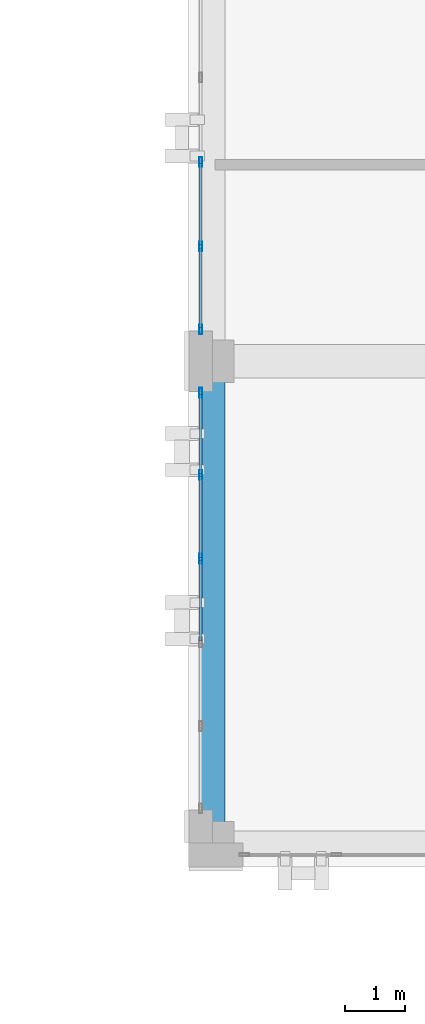
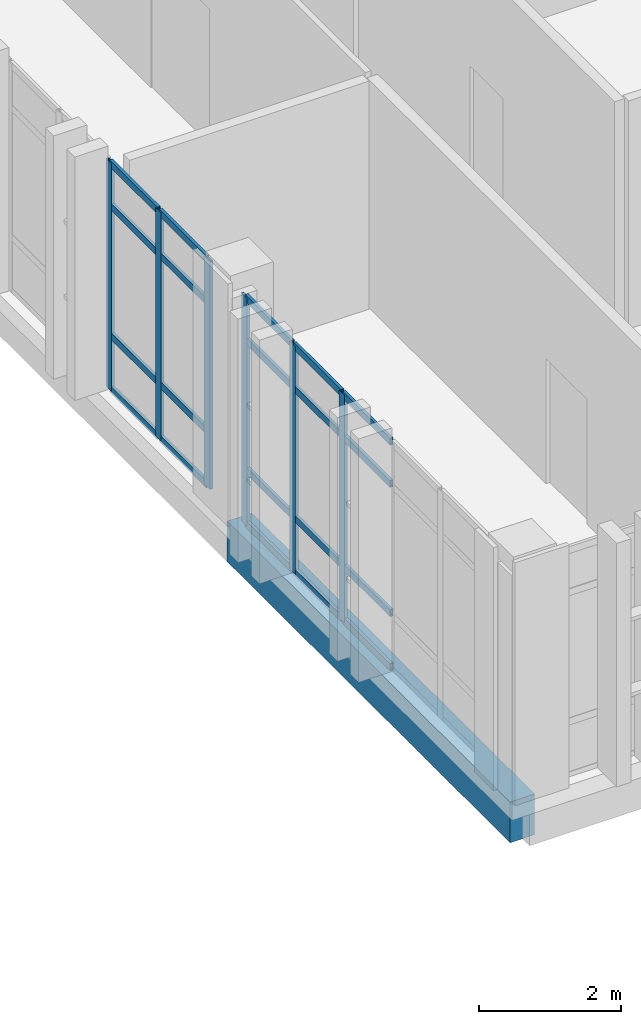
# One storey, part 55 of 158: 26 members, 1 beam, 2 elements without a shape of their own.
"""IFC4 building model written with IfcOpenShell, lengths in metres."""

from ifc_helpers import new_model, si_unit, direction, frame, origin, origin_2d, place, context, subcontext, project, spatial, rectangle, hollow_rectangle, extrude, material, layer, layer_set, material_profile, profile_set, type_object, element, aggregate, save


model = new_model("IFC4")

# Units and contexts
model_context = context("Model", 3, precision=1e-05, world=origin(), true_north=direction((0.0, 1.0)))
body_context = subcontext(model_context, "Body", "Model", "MODEL_VIEW")
ifc_project = project(units=[si_unit("LENGTHUNIT", "METRE"), si_unit("AREAUNIT", "SQUARE_METRE"), si_unit("VOLUMEUNIT", "CUBIC_METRE"), si_unit("PLANEANGLEUNIT", "RADIAN"), si_unit("MASSUNIT", "GRAM", prefix="KILO")], contexts=[model_context])

# Site, building, storey
site_placement = place(None, origin())
site = spatial("IfcSite", under=ifc_project, at=site_placement, CompositionType="ELEMENT")
building_placement = place(site_placement, origin())
building = spatial("IfcBuilding", under=site, at=building_placement, Name="Qalavern Law Courts", CompositionType="ELEMENT")
storey_placement = place(building_placement, frame((0.0, 0.0, 18.60009765625)))
storey = spatial("IfcBuildingStorey", under=building, at=storey_placement, Name="L04", CompositionType="ELEMENT", Elevation=18.60009765625)

# Curtain wall, members
ifc_material_1 = material(Name="Anodised aluminium and insulated glazing", Category="aluminium")
ifc_layer = layer(ifc_material_1, 0.159912109375)
ifc_layer_set = layer_set([ifc_layer], Name="Anodised aluminium and insulated glazing")
curtain_wall_type = type_object("IfcCurtainWallType", Name="ENV-CW-CHAMB", PredefinedType="USERDEFINED", material=ifc_layer_set)
curtain_wall_1_placement = place(storey_placement, origin())
curtain_wall_1 = element("IfcCurtainWall", 1, at=curtain_wall_1_placement, inside=storey, type_object=curtain_wall_type, Name="V4 unitised curtain wall L04 west 5", ObjectType="UNITISED CURTAIN WALL", PredefinedType="USERDEFINED")
ifc_material_2 = material(Name="Anodised aluminium", Category="aluminium")
ifc_material_profile_1 = material_profile(ifc_material_2, hollow_rectangle(XDim=0.048095703125, YDim=0.159912109375, WallThickness=0.00390625, at=origin_2d()), Name="ALU MULLION 48x160")
ifc_profile_set_1 = profile_set([ifc_material_profile_1], Name="Anodised aluminium")
member_type_1 = type_object("IfcMemberType", Name="ENV-CWM-48x160", PredefinedType="MULLION", material=ifc_profile_set_1)
member_1_placement = place(storey_placement, frame((84.39990234375, 52.699951171875, 0.0), z_axis=(0.0, 0.0, 1.0), x_axis=(1.0, 0.0, 0.0)))
member_1 = element("IfcMember", 2, at=member_1_placement, type_object=member_type_1, Name="CW-04 mullion 4", PredefinedType="MULLION", context=body_context, shape_type="SweptSolid", body=[
    extrude(hollow_rectangle(XDim=0.048095703125, YDim=0.159912109375, WallThickness=0.00390625, at=origin_2d()), origin(), (0.0, 0.0, 1.0), 3.9248046875),
])
member_2_placement = place(storey_placement, frame((84.39990234375, 51.300048828125, 0.0), z_axis=(0.0, 0.0, 1.0), x_axis=(1.0, 0.0, 0.0)))
member_2 = element("IfcMember", 3, at=member_2_placement, type_object=member_type_1, Name="CW-04 mullion 5", PredefinedType="MULLION", context=body_context, shape_type="SweptSolid", body=[
    extrude(hollow_rectangle(XDim=0.048095703125, YDim=0.159912109375, WallThickness=0.00390625, at=origin_2d()), origin(), (0.0, 0.0, 1.0), 3.9248046875),
])
member_3_placement = place(storey_placement, frame((84.39990234375, 49.924072265625, 0.0), z_axis=(0.0, 0.0, 1.0), x_axis=(1.0, 0.0, 0.0)))
member_3 = element("IfcMember", 4, at=member_3_placement, type_object=member_type_1, Name="CW-04 mullion 6", PredefinedType="MULLION", context=body_context, shape_type="SweptSolid", body=[
    extrude(hollow_rectangle(XDim=0.048095703125, YDim=0.159912109375, WallThickness=0.00390625, at=origin_2d()), origin(), (0.0, 0.0, 1.0), 3.9248046875),
])

curtain_wall_2_placement = place(storey_placement, origin())
curtain_wall_2 = element("IfcCurtainWall", 5, at=curtain_wall_2_placement, inside=storey, type_object=curtain_wall_type, Name="V4 unitised curtain wall L04 west 6", ObjectType="UNITISED CURTAIN WALL", PredefinedType="USERDEFINED")
member_4_placement = place(storey_placement, frame((84.39990234375, 48.8759765625, 0.0), z_axis=(0.0, 0.0, 1.0), x_axis=(1.0, 0.0, 0.0)))
member_4 = element("IfcMember", 6, at=member_4_placement, type_object=member_type_1, Name="CW-04 mullion 1", PredefinedType="MULLION", context=body_context, shape_type="SweptSolid", body=[
    extrude(hollow_rectangle(XDim=0.048095703125, YDim=0.159912109375, WallThickness=0.00390625, at=origin_2d()), origin(), (0.0, 0.0, 1.0), 3.9248046875),
])
member_5_placement = place(storey_placement, frame((84.39990234375, 47.512939453125, 0.0), z_axis=(0.0, 0.0, 1.0), x_axis=(1.0, 0.0, 0.0)))
member_5 = element("IfcMember", 7, at=member_5_placement, type_object=member_type_1, Name="CW-04 mullion 2", PredefinedType="MULLION", context=body_context, shape_type="SweptSolid", body=[
    extrude(hollow_rectangle(XDim=0.048095703125, YDim=0.159912109375, WallThickness=0.00390625, at=origin_2d()), origin(), (0.0, 0.0, 1.0), 3.9248046875),
])
member_6_placement = place(storey_placement, frame((84.39990234375, 46.1259765625, 0.0), z_axis=(0.0, 0.0, 1.0), x_axis=(1.0, 0.0, 0.0)))
member_6 = element("IfcMember", 8, at=member_6_placement, type_object=member_type_1, Name="CW-04 mullion 3", PredefinedType="MULLION", context=body_context, shape_type="SweptSolid", body=[
    extrude(hollow_rectangle(XDim=0.048095703125, YDim=0.159912109375, WallThickness=0.00390625, at=origin_2d()), origin(), (0.0, 0.0, 1.0), 3.9248046875),
])

# Member
ifc_material_profile_2 = material_profile(ifc_material_2, hollow_rectangle(XDim=0.048095703125, YDim=0.1201171875, WallThickness=0.00390625, at=origin_2d()), Name="ALU TRANSOM 48x120")
ifc_profile_set_2 = profile_set([ifc_material_profile_2], Name="Anodised aluminium")
member_type_2 = type_object("IfcMemberType", Name="ENV-CWT-48x120", PredefinedType="USERDEFINED", material=ifc_profile_set_2)
member_7_placement = place(storey_placement, frame((84.39990234375, 52.676025390625, 0.02392578125), z_axis=(0.0, -1.0, 0.0), x_axis=(1.0, 0.0, 0.0)))
member_7 = element("IfcMember", 9, at=member_7_placement, type_object=member_type_2, Name="CW-04 transom 4.1", ObjectType="TRANSOM", PredefinedType="USERDEFINED", context=body_context, shape_type="SweptSolid", body=[
    extrude(hollow_rectangle(XDim=0.048095703125, YDim=0.1201171875, WallThickness=0.00390625, at=origin_2d()), origin(), (0.0, 0.0, 1.0), 1.35205078125),
])

member_8_placement = place(storey_placement, frame((84.39990234375, 52.676025390625, 0.949951171875), z_axis=(0.0, -1.0, 0.0), x_axis=(1.0, 0.0, 0.0)))
member_8 = element("IfcMember", 10, at=member_8_placement, type_object=member_type_2, Name="CW-04 transom 4.2", ObjectType="TRANSOM", PredefinedType="USERDEFINED", context=body_context, shape_type="SweptSolid", body=[
    extrude(hollow_rectangle(XDim=0.048095703125, YDim=0.1201171875, WallThickness=0.00390625, at=origin_2d()), origin(), (0.0, 0.0, 1.0), 1.35205078125),
])

member_9_placement = place(storey_placement, frame((84.39990234375, 52.676025390625, 3.1748046875), z_axis=(0.0, -1.0, 0.0), x_axis=(1.0, 0.0, 0.0)))
member_9 = element("IfcMember", 11, at=member_9_placement, type_object=member_type_2, Name="CW-04 transom 4.3", ObjectType="TRANSOM", PredefinedType="USERDEFINED", context=body_context, shape_type="SweptSolid", body=[
    extrude(hollow_rectangle(XDim=0.048095703125, YDim=0.1201171875, WallThickness=0.00390625, at=origin_2d()), origin(), (0.0, 0.0, 1.0), 1.35205078125),
])

member_10_placement = place(storey_placement, frame((84.39990234375, 52.676025390625, 3.90087890625), z_axis=(0.0, -1.0, 0.0), x_axis=(1.0, 0.0, 0.0)))
member_10 = element("IfcMember", 12, at=member_10_placement, type_object=member_type_2, Name="CW-04 transom 4.4", ObjectType="TRANSOM", PredefinedType="USERDEFINED", context=body_context, shape_type="SweptSolid", body=[
    extrude(hollow_rectangle(XDim=0.048095703125, YDim=0.1201171875, WallThickness=0.00390625, at=origin_2d()), origin(), (0.0, 0.0, 1.0), 1.35205078125),
])

member_11_placement = place(storey_placement, frame((84.39990234375, 51.27587890625, 0.02392578125), z_axis=(0.0, -1.0, 0.0), x_axis=(1.0, 0.0, 0.0)))
member_11 = element("IfcMember", 13, at=member_11_placement, type_object=member_type_2, Name="CW-04 transom 5.1", ObjectType="TRANSOM", PredefinedType="USERDEFINED", context=body_context, shape_type="SweptSolid", body=[
    extrude(hollow_rectangle(XDim=0.048095703125, YDim=0.1201171875, WallThickness=0.00390625, at=origin_2d()), origin(), (0.0, 0.0, 1.0), 1.327880859375),
])

member_12_placement = place(storey_placement, frame((84.39990234375, 51.27587890625, 0.949951171875), z_axis=(0.0, -1.0, 0.0), x_axis=(1.0, 0.0, 0.0)))
member_12 = element("IfcMember", 14, at=member_12_placement, type_object=member_type_2, Name="CW-04 transom 5.2", ObjectType="TRANSOM", PredefinedType="USERDEFINED", context=body_context, shape_type="SweptSolid", body=[
    extrude(hollow_rectangle(XDim=0.048095703125, YDim=0.1201171875, WallThickness=0.00390625, at=origin_2d()), origin(), (0.0, 0.0, 1.0), 1.327880859375),
])

member_13_placement = place(storey_placement, frame((84.39990234375, 51.27587890625, 3.1748046875), z_axis=(0.0, -1.0, 0.0), x_axis=(1.0, 0.0, 0.0)))
member_13 = element("IfcMember", 15, at=member_13_placement, type_object=member_type_2, Name="CW-04 transom 5.3", ObjectType="TRANSOM", PredefinedType="USERDEFINED", context=body_context, shape_type="SweptSolid", body=[
    extrude(hollow_rectangle(XDim=0.048095703125, YDim=0.1201171875, WallThickness=0.00390625, at=origin_2d()), origin(), (0.0, 0.0, 1.0), 1.327880859375),
])

member_14_placement = place(storey_placement, frame((84.39990234375, 51.27587890625, 3.90087890625), z_axis=(0.0, -1.0, 0.0), x_axis=(1.0, 0.0, 0.0)))
member_14 = element("IfcMember", 16, at=member_14_placement, type_object=member_type_2, Name="CW-04 transom 5.4", ObjectType="TRANSOM", PredefinedType="USERDEFINED", context=body_context, shape_type="SweptSolid", body=[
    extrude(hollow_rectangle(XDim=0.048095703125, YDim=0.1201171875, WallThickness=0.00390625, at=origin_2d()), origin(), (0.0, 0.0, 1.0), 1.327880859375),
])

aggregate(curtain_wall_1, [member_1, member_2, member_3, member_7, member_8, member_9, member_10, member_11, member_12, member_13, member_14])

member_15_placement = place(storey_placement, frame((84.39990234375, 48.85205078125, 0.02392578125), z_axis=(0.0, -1.0, 0.0), x_axis=(1.0, 0.0, 0.0)))
member_15 = element("IfcMember", 17, at=member_15_placement, type_object=member_type_2, Name="CW-04 transom 1.1", ObjectType="TRANSOM", PredefinedType="USERDEFINED", context=body_context, shape_type="SweptSolid", body=[
    extrude(hollow_rectangle(XDim=0.048095703125, YDim=0.1201171875, WallThickness=0.00390625, at=origin_2d()), origin(), (0.0, 0.0, 1.0), 1.31494140625),
])

member_16_placement = place(storey_placement, frame((84.39990234375, 48.85205078125, 0.949951171875), z_axis=(0.0, -1.0, 0.0), x_axis=(1.0, 0.0, 0.0)))
member_16 = element("IfcMember", 18, at=member_16_placement, type_object=member_type_2, Name="CW-04 transom 1.2", ObjectType="TRANSOM", PredefinedType="USERDEFINED", context=body_context, shape_type="SweptSolid", body=[
    extrude(hollow_rectangle(XDim=0.048095703125, YDim=0.1201171875, WallThickness=0.00390625, at=origin_2d()), origin(), (0.0, 0.0, 1.0), 1.31494140625),
])

member_17_placement = place(storey_placement, frame((84.39990234375, 48.85205078125, 3.1748046875), z_axis=(0.0, -1.0, 0.0), x_axis=(1.0, 0.0, 0.0)))
member_17 = element("IfcMember", 19, at=member_17_placement, type_object=member_type_2, Name="CW-04 transom 1.3", ObjectType="TRANSOM", PredefinedType="USERDEFINED", context=body_context, shape_type="SweptSolid", body=[
    extrude(hollow_rectangle(XDim=0.048095703125, YDim=0.1201171875, WallThickness=0.00390625, at=origin_2d()), origin(), (0.0, 0.0, 1.0), 1.31494140625),
])

member_18_placement = place(storey_placement, frame((84.39990234375, 48.85205078125, 3.90087890625), z_axis=(0.0, -1.0, 0.0), x_axis=(1.0, 0.0, 0.0)))
member_18 = element("IfcMember", 20, at=member_18_placement, type_object=member_type_2, Name="CW-04 transom 1.4", ObjectType="TRANSOM", PredefinedType="USERDEFINED", context=body_context, shape_type="SweptSolid", body=[
    extrude(hollow_rectangle(XDim=0.048095703125, YDim=0.1201171875, WallThickness=0.00390625, at=origin_2d()), origin(), (0.0, 0.0, 1.0), 1.31494140625),
])

member_19_placement = place(storey_placement, frame((84.39990234375, 47.489013671875, 0.02392578125), z_axis=(0.0, -1.0, 0.0), x_axis=(1.0, 0.0, 0.0)))
member_19 = element("IfcMember", 21, at=member_19_placement, type_object=member_type_2, Name="CW-04 transom 2.1", ObjectType="TRANSOM", PredefinedType="USERDEFINED", context=body_context, shape_type="SweptSolid", body=[
    extrude(hollow_rectangle(XDim=0.048095703125, YDim=0.1201171875, WallThickness=0.00390625, at=origin_2d()), origin(), (0.0, 0.0, 1.0), 1.339111328125),
])

member_20_placement = place(storey_placement, frame((84.39990234375, 47.489013671875, 0.949951171875), z_axis=(0.0, -1.0, 0.0), x_axis=(1.0, 0.0, 0.0)))
member_20 = element("IfcMember", 22, at=member_20_placement, type_object=member_type_2, Name="CW-04 transom 2.2", ObjectType="TRANSOM", PredefinedType="USERDEFINED", context=body_context, shape_type="SweptSolid", body=[
    extrude(hollow_rectangle(XDim=0.048095703125, YDim=0.1201171875, WallThickness=0.00390625, at=origin_2d()), origin(), (0.0, 0.0, 1.0), 1.339111328125),
])

member_21_placement = place(storey_placement, frame((84.39990234375, 47.489013671875, 3.1748046875), z_axis=(0.0, -1.0, 0.0), x_axis=(1.0, 0.0, 0.0)))
member_21 = element("IfcMember", 23, at=member_21_placement, type_object=member_type_2, Name="CW-04 transom 2.3", ObjectType="TRANSOM", PredefinedType="USERDEFINED", context=body_context, shape_type="SweptSolid", body=[
    extrude(hollow_rectangle(XDim=0.048095703125, YDim=0.1201171875, WallThickness=0.00390625, at=origin_2d()), origin(), (0.0, 0.0, 1.0), 1.339111328125),
])

member_22_placement = place(storey_placement, frame((84.39990234375, 47.489013671875, 3.90087890625), z_axis=(0.0, -1.0, 0.0), x_axis=(1.0, 0.0, 0.0)))
member_22 = element("IfcMember", 24, at=member_22_placement, type_object=member_type_2, Name="CW-04 transom 2.4", ObjectType="TRANSOM", PredefinedType="USERDEFINED", context=body_context, shape_type="SweptSolid", body=[
    extrude(hollow_rectangle(XDim=0.048095703125, YDim=0.1201171875, WallThickness=0.00390625, at=origin_2d()), origin(), (0.0, 0.0, 1.0), 1.339111328125),
])

member_23_placement = place(storey_placement, frame((84.39990234375, 46.10205078125, 0.02392578125), z_axis=(0.0, -1.0, 0.0), x_axis=(1.0, 0.0, 0.0)))
member_23 = element("IfcMember", 25, at=member_23_placement, type_object=member_type_2, Name="CW-04 transom 3.1", ObjectType="TRANSOM", PredefinedType="USERDEFINED", context=body_context, shape_type="SweptSolid", body=[
    extrude(hollow_rectangle(XDim=0.048095703125, YDim=0.1201171875, WallThickness=0.00390625, at=origin_2d()), origin(), (0.0, 0.0, 1.0), 1.339111328125),
])

member_24_placement = place(storey_placement, frame((84.39990234375, 46.10205078125, 0.949951171875), z_axis=(0.0, -1.0, 0.0), x_axis=(1.0, 0.0, 0.0)))
member_24 = element("IfcMember", 26, at=member_24_placement, type_object=member_type_2, Name="CW-04 transom 3.2", ObjectType="TRANSOM", PredefinedType="USERDEFINED", context=body_context, shape_type="SweptSolid", body=[
    extrude(hollow_rectangle(XDim=0.048095703125, YDim=0.1201171875, WallThickness=0.00390625, at=origin_2d()), origin(), (0.0, 0.0, 1.0), 1.339111328125),
])

member_25_placement = place(storey_placement, frame((84.39990234375, 46.10205078125, 3.1748046875), z_axis=(0.0, -1.0, 0.0), x_axis=(1.0, 0.0, 0.0)))
member_25 = element("IfcMember", 27, at=member_25_placement, type_object=member_type_2, Name="CW-04 transom 3.3", ObjectType="TRANSOM", PredefinedType="USERDEFINED", context=body_context, shape_type="SweptSolid", body=[
    extrude(hollow_rectangle(XDim=0.048095703125, YDim=0.1201171875, WallThickness=0.00390625, at=origin_2d()), origin(), (0.0, 0.0, 1.0), 1.339111328125),
])

member_26_placement = place(storey_placement, frame((84.39990234375, 46.10205078125, 3.90087890625), z_axis=(0.0, -1.0, 0.0), x_axis=(1.0, 0.0, 0.0)))
member_26 = element("IfcMember", 28, at=member_26_placement, type_object=member_type_2, Name="CW-04 transom 3.4", ObjectType="TRANSOM", PredefinedType="USERDEFINED", context=body_context, shape_type="SweptSolid", body=[
    extrude(hollow_rectangle(XDim=0.048095703125, YDim=0.1201171875, WallThickness=0.00390625, at=origin_2d()), origin(), (0.0, 0.0, 1.0), 1.339111328125),
])

aggregate(curtain_wall_2, [member_4, member_5, member_6, member_15, member_16, member_17, member_18, member_19, member_20, member_21, member_22, member_23, member_24, member_25, member_26])

# Beam
ifc_material_3 = material(Name="Concrete C40/50", Category="concrete")
ifc_material_profile_3 = material_profile(ifc_material_3, rectangle(XDim=0.39990234375, YDim=0.699951171875, at=origin_2d()), Name="RC 400x700")
ifc_profile_set_3 = profile_set([ifc_material_profile_3], Name="Concrete C40/50")
beam_type = type_object("IfcBeamType", Name="STR-SP-RC400x700", PredefinedType="SPANDREL", material=ifc_profile_set_3)
beam_placement = place(storey_placement, frame((84.60009765625, 41.419921875, -0.630126953125), z_axis=(0.0, 1.0, 0.0), x_axis=(-1.0, 0.0, 0.0)))
element("IfcBeam", 29, at=beam_placement, inside=storey, type_object=beam_type, Name="V4 Y-beam 1-1 L04", PredefinedType="SPANDREL", context=body_context, shape_type="SweptSolid", body=[
    extrude(rectangle(XDim=0.39990234375, YDim=0.699951171875, at=origin_2d()), origin(), (0.0, 0.0, 1.0), 7.97998046875),
])

save(model, "model.ifc")
